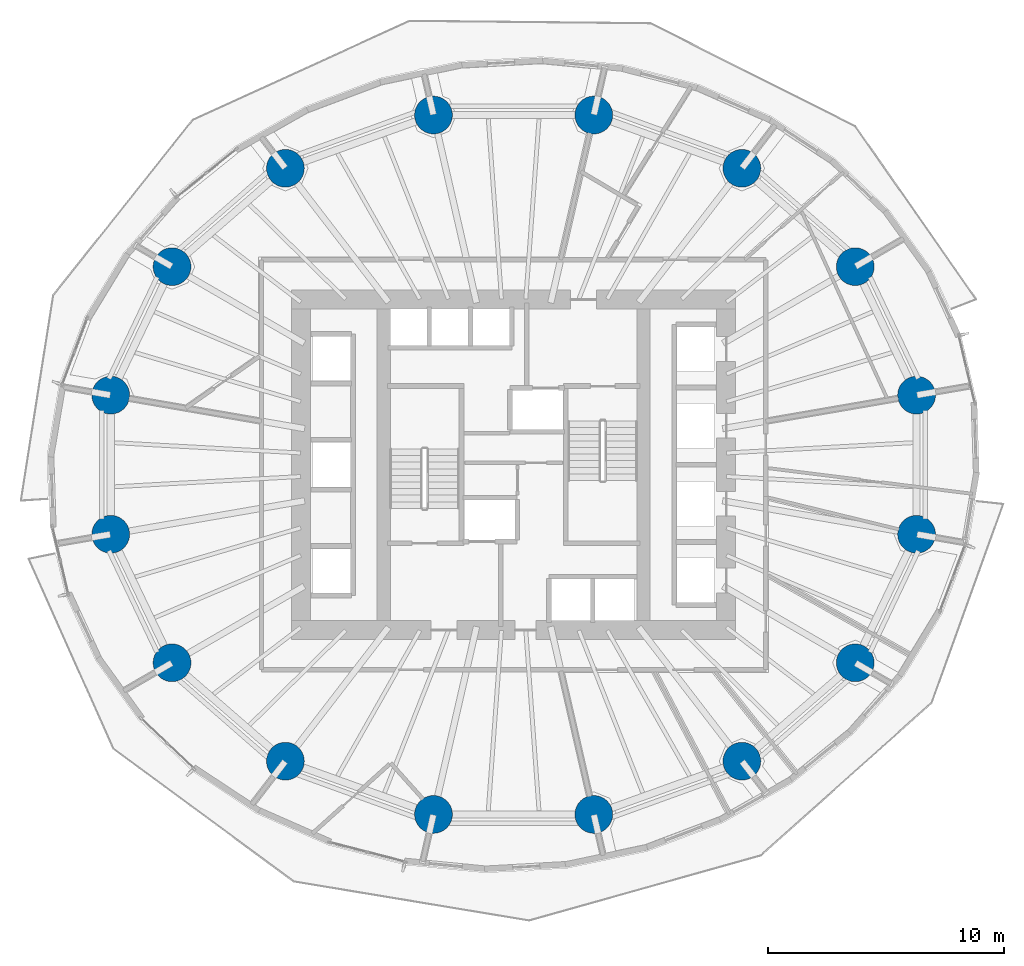
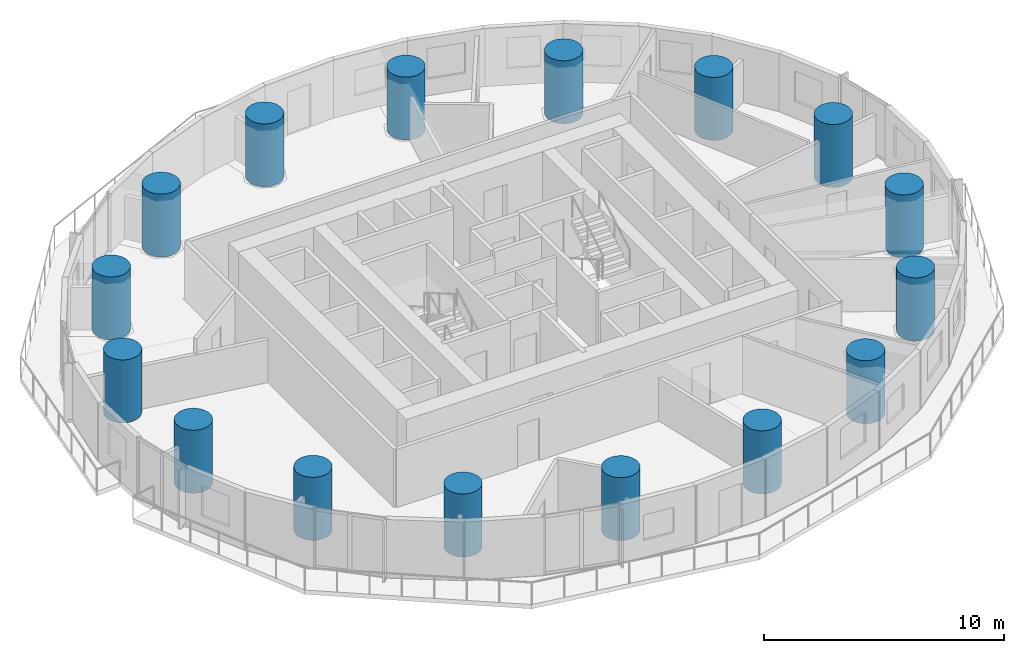
# One storey, part 1 of 14: 16 columns.
"""IFC4 building model written with IfcOpenShell, lengths in metres."""

import ifcopenshell
import ifcopenshell.guid

model = None  # the IFC model being written
_history = None  # IfcOwnerHistory: only IFC2X3 demands one
_inside = {}  # id of a spatial element -> (the spatial element, [elements in it])
_under = {}  # id of a project, library or spatial element -> (it, [spatial elements below it])
_declared = {}  # id of a project -> (the project, [libraries it declares])
_typed = {}  # id of a type object -> (the type object, [elements of that type])
_made_of = {}  # id of a material, layer set ... -> (it, [elements and type objects made of it])


def new_model(schema):
    """Start an empty IFC model of exactly this schema.

    Asked for "IFC4X3", IfcOpenShell would pick the latest addendum, in which some entities
    have other attributes; the version numbers below select the first issue.
    IFC2X3 requires an IfcOwnerHistory on every rooted entity: one is made here for all.
    """
    global model, _history
    if schema == "IFC4X3":
        model = ifcopenshell.file(schema_version=(4, 3, 0, 0))
    else:
        model = ifcopenshell.file(schema=schema)
    _inside.clear()
    _under.clear()
    _declared.clear()
    _typed.clear()
    _made_of.clear()
    _history = None
    if model.schema == "IFC2X3":
        org = make("IfcOrganization", Name="unknown")
        user = make(
            "IfcPersonAndOrganization",
            ThePerson=make("IfcPerson", FamilyName="unknown"),
            TheOrganization=org,
        )
        app = make(
            "IfcApplication",
            ApplicationDeveloper=org,
            Version="unknown",
            ApplicationFullName="unknown",
            ApplicationIdentifier="unknown",
        )
        _history = make(
            "IfcOwnerHistory",
            OwningUser=user,
            OwningApplication=app,
            ChangeAction="ADDED",
            CreationDate=0,
        )
    return model


def make(cls, **values):
    """One entity of the class cls with the attributes given. An attribute that is None is left unset."""
    return model.create_entity(
        cls, **{name: value for name, value in values.items() if value is not None}
    )


def rooted(cls, **values):
    """An entity with a GlobalId (a new one), such as an element, a storey or a relation."""
    return make(cls, GlobalId=ifcopenshell.guid.new(), OwnerHistory=_history, **values)


def si_unit(unit_type, name, prefix=None):
    """IfcSIUnit, for example si_unit("LENGTHUNIT", "METRE", prefix="MILLI")."""
    return make("IfcSIUnit", UnitType=unit_type, Prefix=prefix, Name=name)


def assignment(units):
    """IfcUnitAssignment: the units of a project."""
    return None if units is None else make("IfcUnitAssignment", Units=units)


def point(xyz):
    """IfcCartesianPoint."""
    return None if xyz is None else make("IfcCartesianPoint", Coordinates=xyz)


def direction(xyz):
    """IfcDirection."""
    return None if xyz is None else make("IfcDirection", DirectionRatios=xyz)


def frame(location, z_axis=None, x_axis=None):
    """IfcAxis2Placement3D, a coordinate frame: its origin and axes. An axis left out is left unset."""
    return make(
        "IfcAxis2Placement3D",
        Location=point(location),
        Axis=direction(z_axis),
        RefDirection=direction(x_axis),
    )


def frame_2d(location, x_axis=None):
    """IfcAxis2Placement2D, a coordinate frame in the plane: its origin and x axis."""
    return make(
        "IfcAxis2Placement2D", Location=point(location), RefDirection=direction(x_axis)
    )


def origin():
    """The frame at (0, 0, 0) with its axes left unset."""
    return frame((0.0, 0.0, 0.0))


def origin_2d():
    """The frame at (0, 0) in the plane with its x axis left unset."""
    return frame_2d((0.0, 0.0))


def place(relative_to, where):
    """IfcLocalPlacement: puts the frame where relative to a parent placement (None: the world)."""
    return make(
        "IfcLocalPlacement", PlacementRelTo=relative_to, RelativePlacement=where
    )


def context(
    kind, dimensions, precision=None, world=None, true_north=None, identifier=None
):
    """IfcGeometricRepresentationContext, for example the 3D "Model" context."""
    return make(
        "IfcGeometricRepresentationContext",
        ContextIdentifier=identifier,
        ContextType=kind,
        CoordinateSpaceDimension=dimensions,
        Precision=precision,
        WorldCoordinateSystem=world,
        TrueNorth=true_north,
    )


def subcontext(parent, identifier, kind, view, scale=None):
    """IfcGeometricRepresentationSubContext, for example "Body" below "Model"."""
    return make(
        "IfcGeometricRepresentationSubContext",
        ContextIdentifier=identifier,
        ContextType=kind,
        ParentContext=parent,
        TargetScale=scale,
        TargetView=view,
    )


def project(units=None, contexts=None):
    """IfcProject with its units and contexts."""
    return rooted(
        "IfcProject",
        Name="project",
        RepresentationContexts=contexts,
        UnitsInContext=assignment(units),
    )


def spatial(cls, under=None, at=None, **own):
    """A site, building, storey or space (cls), placed at a placement, below another one or the project."""
    s = rooted(cls, ObjectPlacement=at, **own)
    if under is not None:
        _under.setdefault(under.id(), (under, []))[1].append(s)
    return s


def profile(cls, at=None, kind="AREA", **sizes):
    """A parametric profile (cls). Its sizes go by their IFC names, for example OverallWidth=200.0."""
    return make(cls, ProfileType=kind, Position=at, **sizes)


def circle(**sizes):
    """IfcCircleProfileDef."""
    return profile("IfcCircleProfileDef", **sizes)


def extrude(swept, where, along, depth):
    """IfcExtrudedAreaSolid: the profile swept, set in the frame where, extruded along a direction by depth."""
    return make(
        "IfcExtrudedAreaSolid",
        SweptArea=swept,
        Position=where,
        ExtrudedDirection=direction(along),
        Depth=depth,
    )


def shape(context_of_items, identifier, shape_type, items):
    """IfcShapeRepresentation: the items that make up one representation, for example the "Body"."""
    return make(
        "IfcShapeRepresentation",
        ContextOfItems=context_of_items,
        RepresentationIdentifier=identifier,
        RepresentationType=shape_type,
        Items=items,
    )


def material(Name=None, Category=None):
    """IfcMaterial."""
    return make("IfcMaterial", Name=Name, Category=Category)


def material_profile(
    of_material, cross_section, Name=None, Category=None, Priority=None
):
    """IfcMaterialProfile: a cross section and its material."""
    return make(
        "IfcMaterialProfile",
        Name=Name,
        Material=of_material,
        Profile=cross_section,
        Priority=Priority,
        Category=Category,
    )


def profile_set(profiles, Name=None, composite=None):
    """IfcMaterialProfileSet."""
    return make(
        "IfcMaterialProfileSet",
        Name=Name,
        MaterialProfiles=profiles,
        CompositeProfile=composite,
    )


def made_of(thing, what):
    """Note that an element or type object is made of a material, layer set ...; save() writes the relation."""
    if what is not None:
        _made_of.setdefault(what.id(), (what, []))[1].append(thing)
    return thing


def type_object(cls, material=None, **own):
    """A type object (cls), such as IfcWallType, which elements share."""
    return made_of(rooted(cls, **own), material)


def element(
    cls,
    number,
    at=None,
    inside=None,
    cuts=None,
    type_object=None,
    material=None,
    context=None,
    identifier="Body",
    shape_type=None,
    held_by="IfcProductDefinitionShape",
    body=None,
    shapes=None,
    **own,
):
    """One element of the class cls, such as IfcWall. Its Tag is "e" and its number.

    at: its placement. inside: the storey or other place that contains it. cuts: it is an
    opening in that element (IfcRelVoidsElement). A single representation is given by context,
    identifier, shape_type and body (its items); several are given by shapes. held_by: the class
    of the entity that holds the representations. save() writes the other relations.
    """
    e = rooted(cls, Tag="e%d" % number, ObjectPlacement=at, **own)
    if body is not None:
        shapes = [shape(context, identifier, shape_type, body)]
    if shapes is not None:
        e.Representation = make(held_by, Representations=shapes)
    if inside is not None:
        _inside.setdefault(inside.id(), (inside, []))[1].append(e)
    if cuts is not None:
        rooted(
            "IfcRelVoidsElement", RelatingBuildingElement=cuts, RelatedOpeningElement=e
        )
    if type_object is not None:
        _typed.setdefault(type_object.id(), (type_object, []))[1].append(e)
    return made_of(e, material)


def aggregate(whole, parts):
    """IfcRelAggregates: a whole, such as a stair, and the parts it consists of."""
    return rooted("IfcRelAggregates", RelatingObject=whole, RelatedObjects=parts)


def save(model, path):
    """Write the relations noted so far, then the file.

    IfcRelAggregates (storeys below a building ...), IfcRelContainedInSpatialStructure (elements
    in a storey), IfcRelDefinesByType, IfcRelAssociatesMaterial and IfcRelDeclares: one each for
    every whole, place, type object, material and project.
    """
    for whole, parts in _under.values():
        aggregate(whole, parts)
    for where, things in _inside.values():
        rooted(
            "IfcRelContainedInSpatialStructure",
            RelatedElements=things,
            RelatingStructure=where,
        )
    for kind, things in _typed.values():
        rooted("IfcRelDefinesByType", RelatedObjects=things, RelatingType=kind)
    for what, things in _made_of.values():
        rooted("IfcRelAssociatesMaterial", RelatedObjects=things, RelatingMaterial=what)
    for by, libraries in _declared.values():
        rooted("IfcRelDeclares", RelatingContext=by, RelatedDefinitions=libraries)
    model.write(path)


model = new_model("IFC4")

# Units and contexts
model_context = context("Model", 3, precision=1e-05, world=origin(), true_north=direction((0.0, 1.0)))
body_context = subcontext(model_context, "Body", "Model", "MODEL_VIEW")
ifc_project = project(units=[si_unit("LENGTHUNIT", "METRE"), si_unit("AREAUNIT", "SQUARE_METRE"), si_unit("VOLUMEUNIT", "CUBIC_METRE"), si_unit("PLANEANGLEUNIT", "RADIAN"), si_unit("MASSUNIT", "GRAM", prefix="KILO")], contexts=[model_context])

# Site, building, storey
site_placement = place(None, origin())
site = spatial("IfcSite", under=ifc_project, at=site_placement, CompositionType="ELEMENT")
building_placement = place(site_placement, origin())
building = spatial("IfcBuilding", under=site, at=building_placement, Name="Veldorim Arch Residences", CompositionType="ELEMENT")
storey_placement = place(building_placement, frame((0.0, 0.0, 34.39990234375)))
storey = spatial("IfcBuildingStorey", under=building, at=storey_placement, Name="L09", CompositionType="ELEMENT", Elevation=34.39990234375)

# Columns
ifc_material = material(Name="Concrete C60/75", Category="concrete")
ifc_material_profile = material_profile(ifc_material, circle(Radius=0.800048828125, at=origin_2d()), Name="RC_CIRC_1600")
ifc_profile_set = profile_set([ifc_material_profile], Name="Concrete C60/75")
column_type = type_object("IfcColumnType", Name="Structural Column RC_CIRC_1600", PredefinedType="COLUMN", material=ifc_profile_set)
for number, where, z_axis, x_axis, name in (
    (1, (49.065673828125, 26.94580078125, 0.0), (0.0, 0.0, 1.0), (1.0, 0.0, 0.0), "L09 TC-Z1-01 perimeter column"),
    (2, (46.467529296875, 32.38916015625, 0.0), (0.0, 0.0, 1.0), (1.0, 0.0, 0.0), "L09 TC-Z1-02 perimeter column"),
    (3, (41.6669921875, 36.55517578125, 0.0), (0.0, 0.0, 1.0), (1.0, 0.0, 0.0), "L09 TC-Z1-03 perimeter column"),
    (4, (35.39453125, 38.809814453125, 0.0), (0.0, 0.0, 1.0), (1.0, 0.0, 0.0), "L09 TC-Z1-04 perimeter column"),
    (5, (28.60546875, 38.809814453125, 0.0), (0.0, 0.0, 1.0), (1.0, 0.0, 0.0), "L09 TC-Z1-05 perimeter column"),
    (6, (22.3330078125, 36.55517578125, 0.0), (0.0, 0.0, 1.0), (1.0, 0.0, 0.0), "L09 TC-Z1-06 perimeter column"),
    (7, (17.532470703125, 32.38916015625, 0.0), (0.0, 0.0, 1.0), (1.0, 0.0, 0.0), "L09 TC-Z1-07 perimeter column"),
    (8, (14.934326171875, 26.94580078125, 0.0), (0.0, 0.0, 1.0), (1.0, 0.0, 0.0), "L09 TC-Z1-08 perimeter column"),
    (9, (14.934326171875, 21.05419921875, 0.0), (0.0, 0.0, 1.0), (1.0, 0.0, 0.0), "L09 TC-Z1-09 perimeter column"),
    (10, (17.532470703125, 15.61083984375, 0.0), (0.0, 0.0, 1.0), (1.0, 0.0, 0.0), "L09 TC-Z1-10 perimeter column"),
    (11, (22.3330078125, 11.44482421875, 0.0), (0.0, 0.0, 1.0), (1.0, 0.0, 0.0), "L09 TC-Z1-11 perimeter column"),
    (12, (28.60546875, 9.190185546875, 0.0), (0.0, 0.0, 1.0), (1.0, 0.0, 0.0), "L09 TC-Z1-12 perimeter column"),
    (13, (35.39453125, 9.190185546875, 0.0), (0.0, 0.0, 1.0), (1.0, 0.0, 0.0), "L09 TC-Z1-13 perimeter column"),
    (14, (41.6669921875, 11.44482421875, 0.0), (0.0, 0.0, 1.0), (1.0, 0.0, 0.0), "L09 TC-Z1-14 perimeter column"),
    (15, (46.467529296875, 15.61083984375, 0.0), (0.0, 0.0, 1.0), (1.0, 0.0, 0.0), "L09 TC-Z1-15 perimeter column"),
    (16, (49.065673828125, 21.05419921875, 0.0), (0.0, 0.0, 1.0), (1.0, 0.0, 0.0), "L09 TC-Z1-16 perimeter column"),
):
    element("IfcColumn", number, at=place(storey_placement, frame(where, z_axis=z_axis, x_axis=x_axis)), inside=storey, type_object=column_type, Name=name, PredefinedType="COLUMN", context=body_context, shape_type="SweptSolid", body=[
        extrude(circle(Radius=0.800048828125, at=origin_2d()), origin(), (0.0, 0.0, 1.0), 3.2001953125),
    ])

save(model, "model.ifc")
